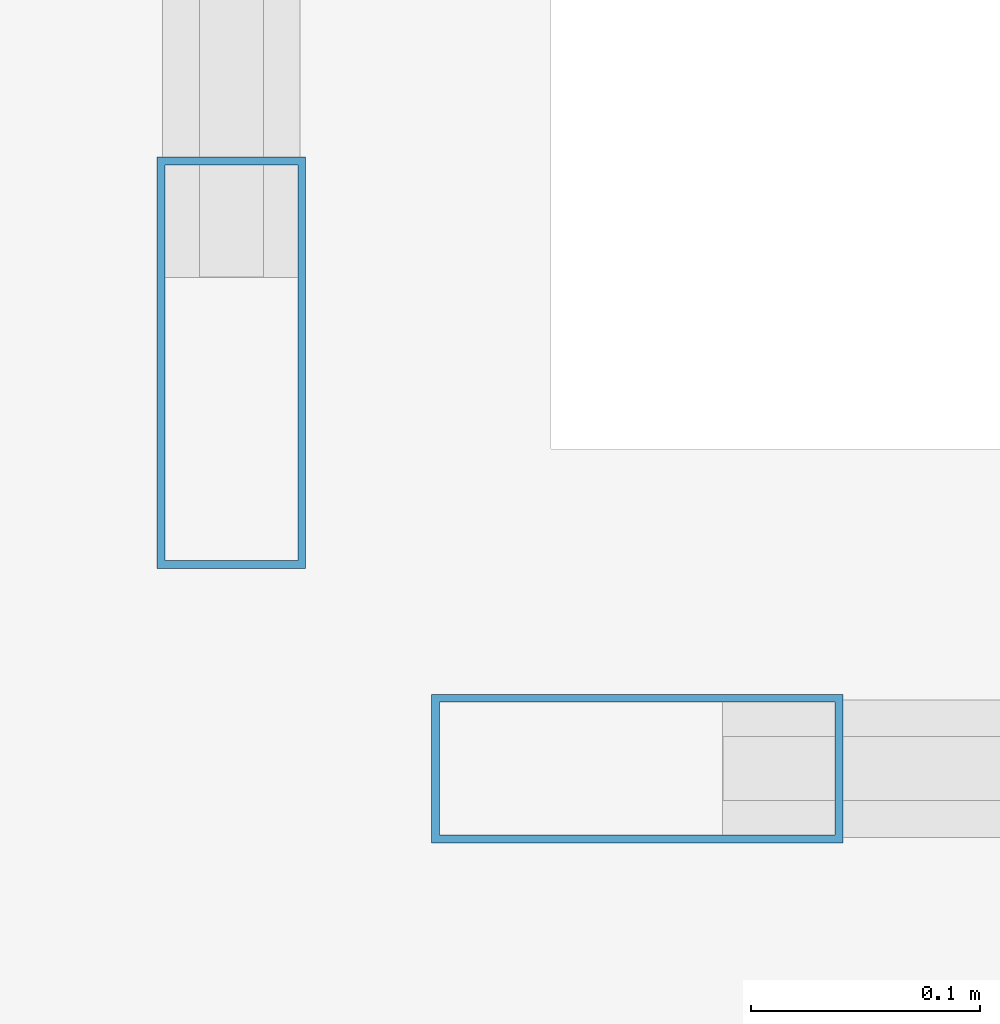
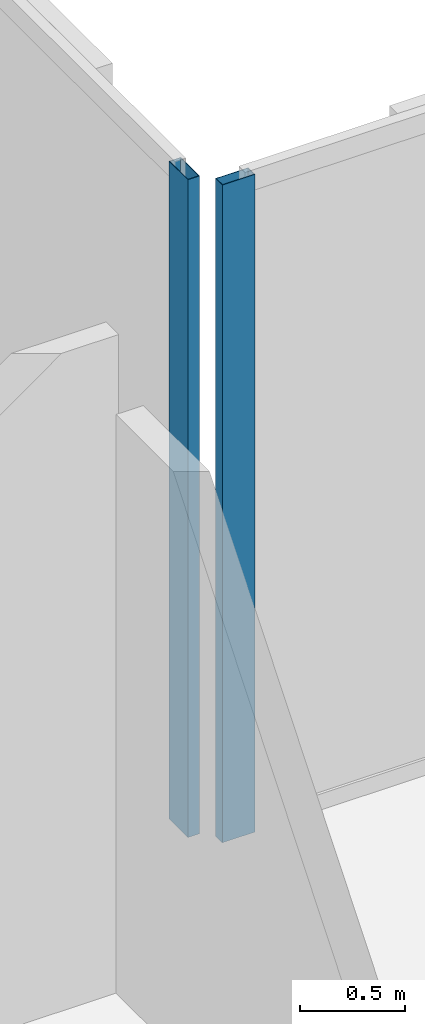
# One storey, part 19 of 29: 2 members, 2 elements without a shape of their own.
"""IFC4 building model written with IfcOpenShell, lengths in metres."""

from ifc_helpers import new_model, si_unit, direction, frame, origin, origin_2d, place, context, subcontext, project, spatial, hollow_rectangle, extrude, material, layer, layer_set, material_profile, profile_set, type_object, element, aggregate, save


model = new_model("IFC4")

# Units and contexts
model_context = context("Model", 3, precision=1e-05, world=origin(), true_north=direction((0.0, 1.0)))
body_context = subcontext(model_context, "Body", "Model", "MODEL_VIEW")
ifc_project = project(units=[si_unit("LENGTHUNIT", "METRE"), si_unit("AREAUNIT", "SQUARE_METRE"), si_unit("VOLUMEUNIT", "CUBIC_METRE"), si_unit("PLANEANGLEUNIT", "RADIAN"), si_unit("MASSUNIT", "GRAM", prefix="KILO")], contexts=[model_context])

# Site, building, storey
site_placement = place(None, origin())
site = spatial("IfcSite", under=ifc_project, at=site_placement, CompositionType="ELEMENT")
building_placement = place(site_placement, origin())
building = spatial("IfcBuilding", under=site, at=building_placement, Name="Nerrivon Quay Data Exchange", CompositionType="ELEMENT")
storey_placement = place(building_placement, frame((0.0, 0.0, 200.10009765625)))
storey = spatial("IfcBuildingStorey", under=building, at=storey_placement, Name="L47", CompositionType="ELEMENT", Elevation=200.10009765625)

# Curtain wall, member
ifc_material = material(Name="Anodised aluminium 6063-T6", Category="aluminium")
ifc_layer = layer(ifc_material, 0.195068359375)
ifc_layer_set = layer_set([ifc_layer], Name="Anodised aluminium 6063-T6")
curtain_wall_type = type_object("IfcCurtainWallType", Name="CW-SYS-06", PredefinedType="NOTDEFINED", material=ifc_layer_set)
curtain_wall_1_placement = place(storey_placement, origin())
curtain_wall_1 = element("IfcCurtainWall", 1, at=curtain_wall_1_placement, inside=storey, type_object=curtain_wall_type, Name="L47 Unitised Curtain Wall 11", PredefinedType="NOTDEFINED")
ifc_material_profile = material_profile(ifc_material, hollow_rectangle(XDim=0.06494140625, YDim=0.179931640625, WallThickness=0.00341796875, at=origin_2d()), Name="ALU-MULL-180x65")
ifc_profile_set = profile_set([ifc_material_profile], Name="Anodised aluminium 6063-T6")
member_type = type_object("IfcMemberType", Name="CWM-180x65", PredefinedType="MULLION", material=ifc_profile_set)
member_1_placement = place(storey_placement, frame((20.860107421875, 46.237548828125, 0.0), z_axis=(0.0, 0.0, 1.0), x_axis=(1.0, 0.0, 0.0)))
member_1 = element("IfcMember", 2, at=member_1_placement, type_object=member_type, Name="CW06 mullion 2", PredefinedType="MULLION", context=body_context, shape_type="SweptSolid", body=[
    extrude(hollow_rectangle(XDim=0.06494140625, YDim=0.179931640625, WallThickness=0.00341796875, at=origin_2d()), origin(), (0.0, 0.0, 1.0), 3.824951171875),
])
aggregate(curtain_wall_1, [member_1])

curtain_wall_2_placement = place(storey_placement, origin())
curtain_wall_2 = element("IfcCurtainWall", 3, at=curtain_wall_2_placement, inside=storey, type_object=curtain_wall_type, Name="L47 Unitised Curtain Wall 12", PredefinedType="NOTDEFINED")
member_2_placement = place(storey_placement, frame((21.03759765625, 46.06005859375, 0.0), z_axis=(0.0, 0.0, 1.0), x_axis=(0.0, 1.0, 0.0)))
member_2 = element("IfcMember", 4, at=member_2_placement, type_object=member_type, Name="CW06 mullion 1", PredefinedType="MULLION", context=body_context, shape_type="SweptSolid", body=[
    extrude(hollow_rectangle(XDim=0.06494140625, YDim=0.179931640625, WallThickness=0.00341796875, at=origin_2d()), origin(), (0.0, 0.0, 1.0), 3.824951171875),
])
aggregate(curtain_wall_2, [member_2])

save(model, "model.ifc")
